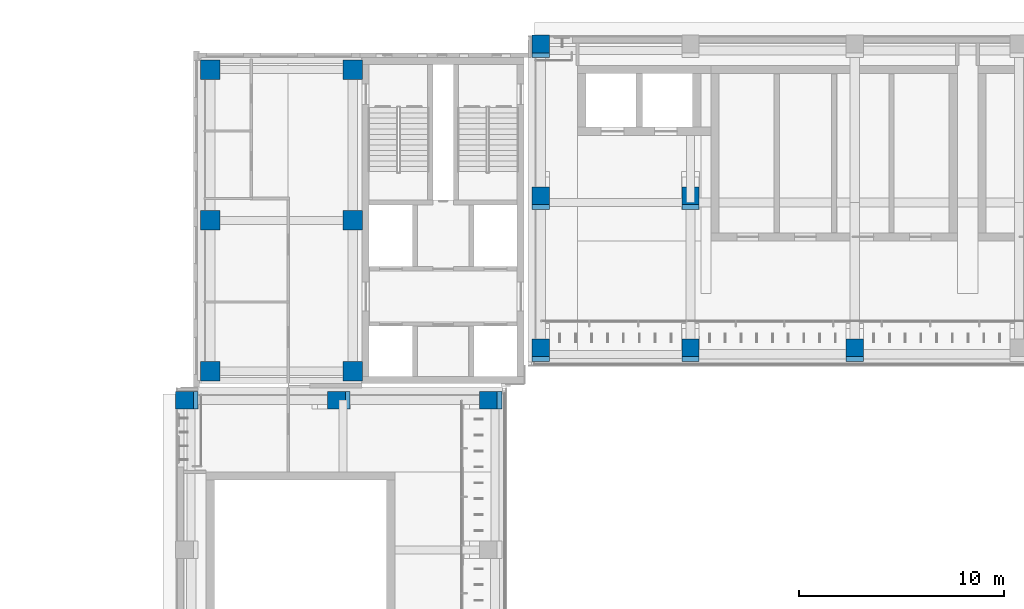
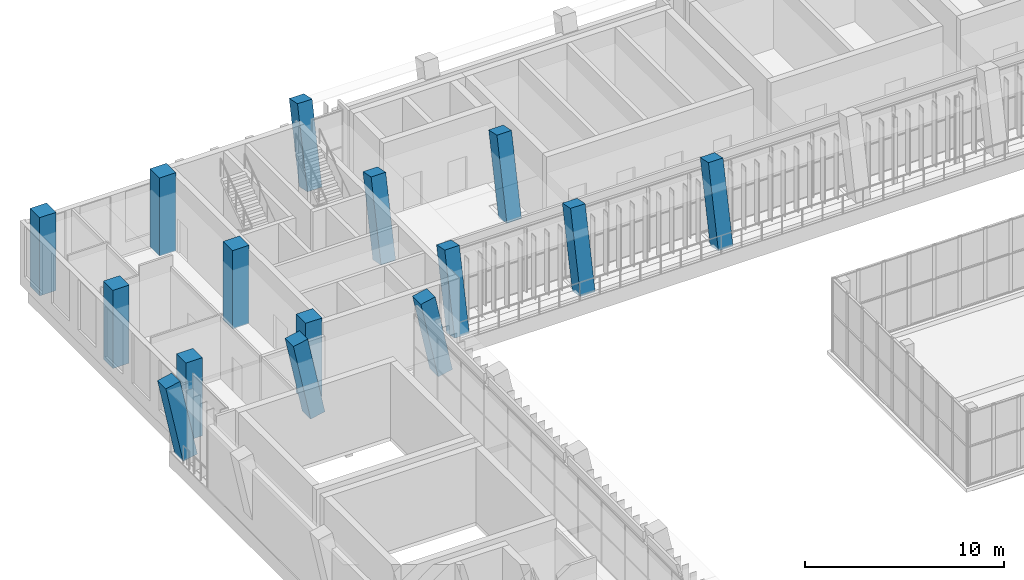
# One storey, part 3 of 92: 15 columns.
"""IFC4 building model written with IfcOpenShell, lengths in metres."""

from ifc_helpers import new_model, si_unit, direction, frame, origin, origin_2d, place, context, subcontext, project, spatial, rectangle, extrude, material, material_profile, profile_set, type_object, element, save


model = new_model("IFC4")

# Units and contexts
model_context = context("Model", 3, precision=1e-05, world=origin(), true_north=direction((0.0, 1.0)))
body_context = subcontext(model_context, "Body", "Model", "MODEL_VIEW")
ifc_project = project(units=[si_unit("LENGTHUNIT", "METRE"), si_unit("AREAUNIT", "SQUARE_METRE"), si_unit("VOLUMEUNIT", "CUBIC_METRE"), si_unit("PLANEANGLEUNIT", "RADIAN"), si_unit("MASSUNIT", "GRAM", prefix="KILO")], contexts=[model_context])

# Site, building, storey
site_placement = place(None, origin())
site = spatial("IfcSite", under=ifc_project, at=site_placement, CompositionType="ELEMENT")
building_placement = place(site_placement, origin())
building = spatial("IfcBuilding", under=site, at=building_placement, Name="Lantern Court Media Centre", CompositionType="ELEMENT")
storey_placement = place(building_placement, frame((0.0, 0.0, 4.800048828125)))
storey = spatial("IfcBuildingStorey", under=building, at=storey_placement, Name="L01", CompositionType="ELEMENT", Elevation=4.800048828125)

# Columns
ifc_material = material(Name="Concrete C35", Category="concrete")
ifc_material_profile_1 = material_profile(ifc_material, rectangle(XDim=0.85009765625, YDim=0.85009765625, at=origin_2d()), Name="RC 850x850")
ifc_profile_set_1 = profile_set([ifc_material_profile_1], Name="Concrete C35")
column_type_1 = type_object("IfcColumnType", Name="RC COLUMN 850x850", PredefinedType="COLUMN", material=ifc_profile_set_1)
for number, where, z_axis, x_axis, name in (
    (1, (24.699951171875, 97.60009765625, 0.0), (0.0, 0.203952265704, 0.978980833987), (-1.0, 0.0, 0.0), "C-N-0-0-L01"),
    (2, (32.0, 97.60009765625, 0.0), (0.0, 0.203952265704, 0.978980833987), (-1.0, 0.0, 0.0), "C-N-0-1-L01"),
    (3, (40.0, 97.60009765625, 0.0), (0.0, 0.203952265704, 0.978980833987), (-1.0, 0.0, 0.0), "C-N-0-2-L01"),
    (4, (24.699951171875, 105.0, 0.0), (0.0, 0.203952265704, 0.978980833987), (-1.0, 0.0, 0.0), "C-N-1-0-L01"),
    (5, (32.0, 105.0, 0.0), (0.0, 0.203952265704, 0.978980833987), (-1.0, 0.0, 0.0), "C-N-1-1-L01"),
    (6, (24.699951171875, 112.39990234375, 0.0), (0.0, 0.203952265704, 0.978980833987), (-1.0, 0.0, 0.0), "C-N-2-0-L01"),
    (7, (7.60009765625, 95.300048828125, 0.0), (-0.203952265704, 0.0, 0.978980833987), (0.0, -1.0, 0.0), "C-W-0-4-L01"),
    (8, (15.0, 95.300048828125, 0.0), (-0.203952265704, 0.0, 0.978980833987), (0.0, -1.0, 0.0), "C-W-1-4-L01"),
    (9, (22.39990234375, 95.300048828125, 0.0), (-0.203952265704, 0.0, 0.978980833987), (0.0, -1.0, 0.0), "C-W-2-4-L01"),
):
    element("IfcColumn", number, at=place(storey_placement, frame(where, z_axis=z_axis, x_axis=x_axis)), inside=storey, type_object=column_type_1, Name=name, PredefinedType="COLUMN", context=body_context, shape_type="SweptSolid", body=[
        extrude(rectangle(XDim=0.85009765625, YDim=0.85009765625, at=origin_2d()), origin(), (0.0, 0.0, 1.0), 4.903076171875),
    ])
ifc_material_profile_2 = material_profile(ifc_material, rectangle(XDim=0.949951171875, YDim=0.949951171875, at=origin_2d()), Name="RC 950x950")
ifc_profile_set_2 = profile_set([ifc_material_profile_2], Name="Concrete C35")
column_type_2 = type_object("IfcColumnType", Name="RC COLUMN 950x950", PredefinedType="COLUMN", material=ifc_profile_set_2)
for number, where, z_axis, x_axis, name in (
    (10, (8.60009765625, 96.699951171875, 0.0), (0.0, 0.0, 1.0), (1.0, 0.0, 0.0), "C-NW-0-L01"),
    (11, (8.60009765625, 104.050048828125, 0.0), (0.0, 0.0, 1.0), (1.0, 0.0, 0.0), "C-NW-1-L01"),
    (12, (8.60009765625, 111.39990234375, 0.0), (0.0, 0.0, 1.0), (1.0, 0.0, 0.0), "C-NW-2-L01"),
    (13, (15.550048828125, 96.699951171875, 0.0), (0.0, 0.0, 1.0), (1.0, 0.0, 0.0), "C-NW-3-L01"),
    (14, (15.550048828125, 104.050048828125, 0.0), (0.0, 0.0, 1.0), (1.0, 0.0, 0.0), "C-NW-4-L01"),
    (15, (15.550048828125, 111.39990234375, 0.0), (0.0, 0.0, 1.0), (1.0, 0.0, 0.0), "C-NW-5-L01"),
):
    element("IfcColumn", number, at=place(storey_placement, frame(where, z_axis=z_axis, x_axis=x_axis)), inside=storey, type_object=column_type_2, Name=name, PredefinedType="COLUMN", context=body_context, shape_type="SweptSolid", body=[
        extrude(rectangle(XDim=0.949951171875, YDim=0.949951171875, at=origin_2d()), origin(), (0.0, 0.0, 1.0), 4.800048828125),
    ])

save(model, "model.ifc")
